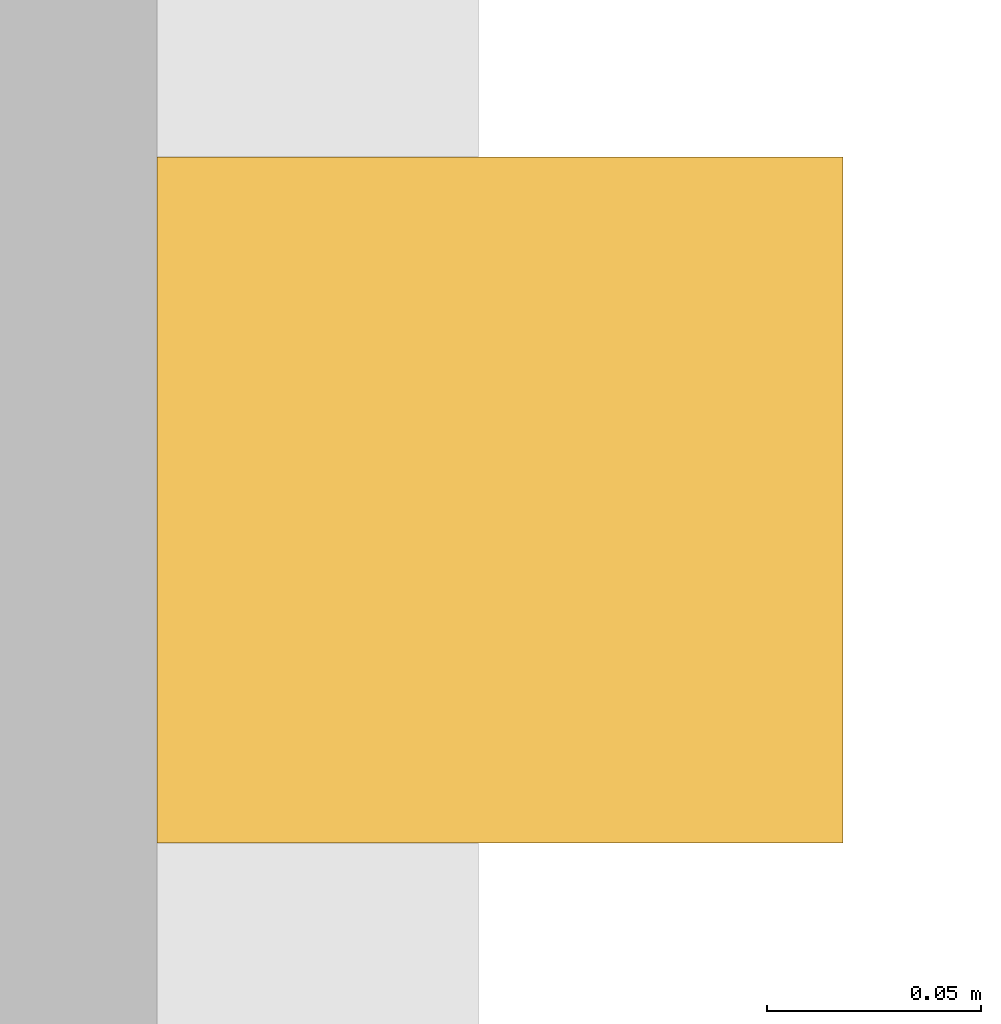
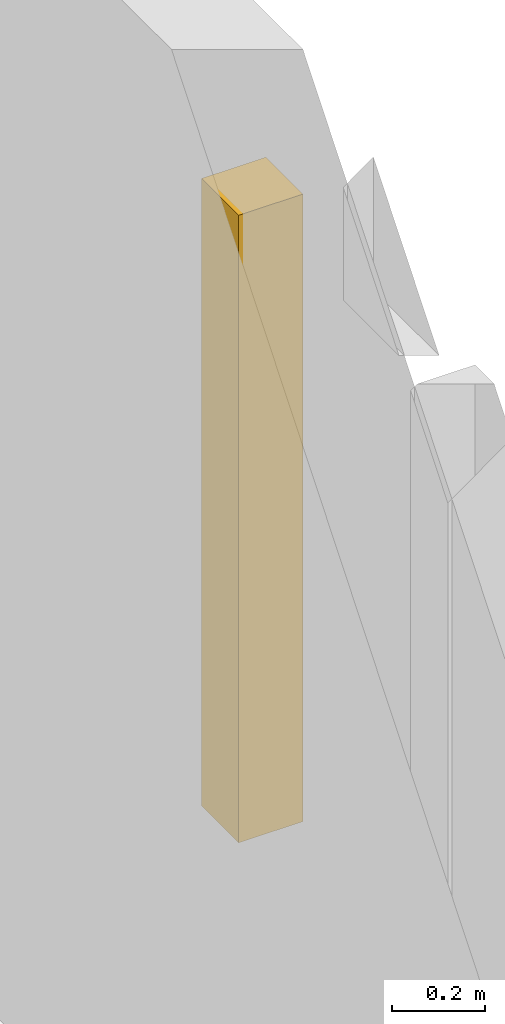
# One storey, part 41 of 53: 1 covering.
"""IFC4 building model written with IfcOpenShell, lengths in metres."""

from ifc_helpers import new_model, si_unit, direction, frame, origin, origin_2d, place, context, subcontext, project, spatial, rectangle, extrude, material, layer, layer_set, type_object, element, save


model = new_model("IFC4")

# Units and contexts
model_context = context("Model", 3, precision=1e-05, world=origin(), true_north=direction((0.0, 1.0)))
body_context = subcontext(model_context, "Body", "Model", "MODEL_VIEW")
ifc_project = project(units=[si_unit("LENGTHUNIT", "METRE"), si_unit("AREAUNIT", "SQUARE_METRE"), si_unit("VOLUMEUNIT", "CUBIC_METRE"), si_unit("PLANEANGLEUNIT", "RADIAN"), si_unit("MASSUNIT", "GRAM", prefix="KILO")], contexts=[model_context])

# Site, building, storey
site_placement = place(None, origin())
site = spatial("IfcSite", under=ifc_project, at=site_placement, CompositionType="ELEMENT")
building_placement = place(site_placement, origin())
building = spatial("IfcBuilding", under=site, at=building_placement, Name="Nzembalo Square Collegiate School", CompositionType="ELEMENT")
storey_placement = place(building_placement, frame((0.0, 0.0, 13.60009765625)))
storey = spatial("IfcBuildingStorey", under=building, at=storey_placement, Name="L03", CompositionType="ELEMENT", Elevation=13.60009765625)

# Covering
ifc_material = material(Name="Glazed ochre ceramic lancet rib")
ifc_layer = layer(ifc_material, 0.159912109375, Name="Glazed ochre ceramic lancet rib")
ifc_layer_set = layer_set([ifc_layer], Name="Glazed ochre ceramic lancet rib")
covering_type = type_object("IfcCoveringType", Name="CL02", PredefinedType="CLADDING", material=ifc_layer_set)
covering_placement = place(storey_placement, frame((32.592529296875, 71.10009765625, 0.760009765625), z_axis=(0.0, 0.0, 1.0), x_axis=(1.0, 0.0, 0.0)))
element("IfcCovering", 1, at=covering_placement, inside=storey, type_object=covering_type, Name="Gothic ceramic rib CL02-Y0237-6", PredefinedType="CLADDING", context=body_context, shape_type="SweptSolid", body=[
    extrude(rectangle(XDim=0.159912109375, YDim=0.159912109375, at=origin_2d()), origin(), (0.0, 0.0, 1.0), 1.64892578125),
])

save(model, "model.ifc")
